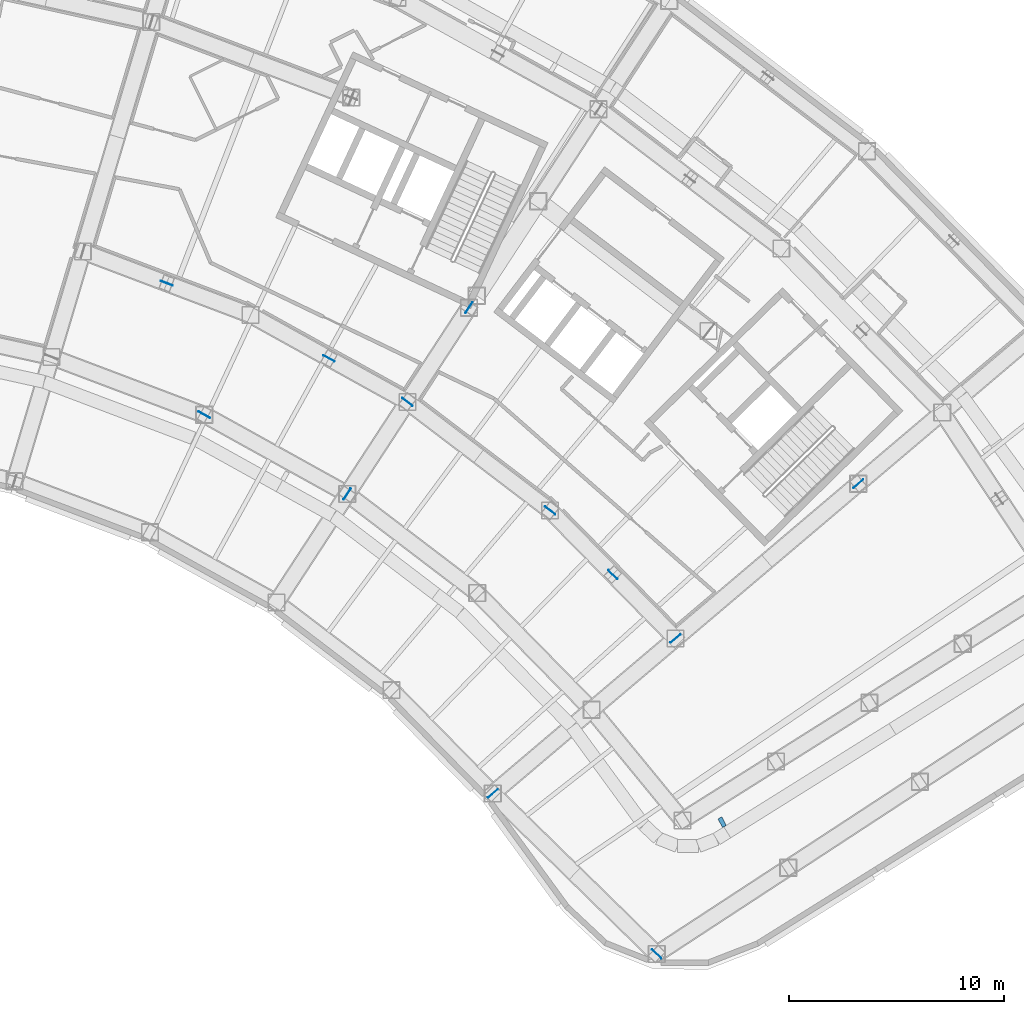
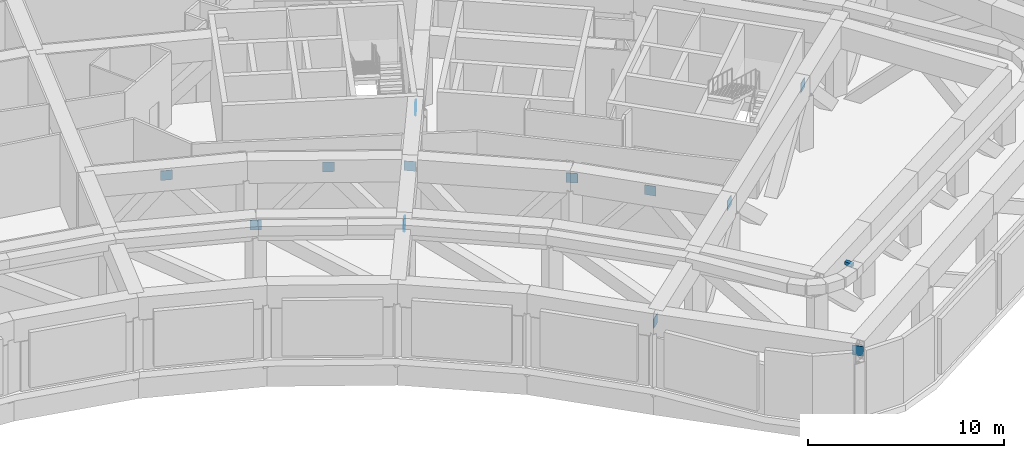
# One storey, part 23 of 30: 13 discrete accessories.
"""IFC4 building model written with IfcOpenShell, lengths in metres."""

from ifc_helpers import new_model, si_unit, direction, frame, origin, origin_2d, place, context, subcontext, project, spatial, rectangle, extrude, material, type_object, element, save


model = new_model("IFC4")

# Units and contexts
model_context = context("Model", 3, precision=1e-05, world=origin(), true_north=direction((0.0, 1.0)))
body_context = subcontext(model_context, "Body", "Model", "MODEL_VIEW")
ifc_project = project(units=[si_unit("LENGTHUNIT", "METRE"), si_unit("AREAUNIT", "SQUARE_METRE"), si_unit("VOLUMEUNIT", "CUBIC_METRE"), si_unit("PLANEANGLEUNIT", "RADIAN"), si_unit("MASSUNIT", "GRAM", prefix="KILO")], contexts=[model_context])

# Site, building, storey
site_placement = place(None, origin())
site = spatial("IfcSite", under=ifc_project, at=site_placement, CompositionType="ELEMENT")
building_placement = place(site_placement, origin())
building = spatial("IfcBuilding", under=site, at=building_placement, Name="Tuul Gate Civic Tower", CompositionType="ELEMENT")
storey_placement = place(building_placement, frame((0.0, 0.0, 26.699951171875)))
storey = spatial("IfcBuildingStorey", under=building, at=storey_placement, Name="Plant and refuge floor 1", CompositionType="ELEMENT", Elevation=26.699951171875)

# Discrete accessories
ifc_material_1 = material(Name="Steel S355", Category="steel")
discrete_accessory_type_1 = type_object("IfcDiscreteAccessoryType", Name="Gusset plate", PredefinedType="BRACKET", material=ifc_material_1)
for number, where, z_axis, x_axis, name in (
    (1, (28.726318359375, -16.005859375, 3.503173828125), (0.0, 0.0, 1.0), (0.546705342807, 0.837325067191, 0.0), "Gusset plate"),
    (2, (52.471435546875, -15.52392578125, 3.50341796875), (0.0, 0.0, 1.0), (0.762835003285, 0.646593193409, 0.0), "Gusset plate"),
    (3, (43.981689453125, -22.719970703125, 3.50341796875), (0.0, 0.0, 1.0), (0.762835003285, 0.646593193409, 0.0), "Gusset plate"),
    (4, (35.4892578125, -29.916015625, 3.503173828125), (0.0, 0.0, 1.0), (0.762835003285, 0.646593193409, 0.0), "Gusset plate"),
    (5, (43.1025390625, -37.37646484375, 3.503173828125), (0.0, 0.0, 1.0), (-0.714249430568, 0.699891242218, 0.0), "Gusset plate"),
    (6, (27.879150390625, -9.70458984375, 3.50390625), (0.0, 0.0, 1.0), (-0.874596656959, 0.484851201541, 0.0), "Gusset plate"),
    (7, (41.06591796875, -19.745361328125, 3.50390625), (0.0, 0.0, 1.0), (-0.700009397894, 0.714133630954, 0.0), "Gusset plate"),
    (8, (20.340087890625, -6.2119140625, 3.50390625), (0.0, 0.0, 1.0), (-0.935378577037, 0.353648013737, 0.0), "Gusset plate"),
    (9, (34.382568359375, -7.343505859375, 3.50341796875), (0.0, 0.0, 1.0), (-0.546705342807, -0.837325067191, 0.0), "Gusset plate"),
    (10, (31.519775390625, -11.722412109375, 3.50390625), (0.0, 0.0, 1.0), (0.795623663767, -0.605791206319, 0.0), "Gusset plate"),
    (11, (38.152587890625, -16.772705078125, 3.50390625), (0.0, 0.0, 1.0), (-0.795623663767, 0.605791206319, 0.0), "Gusset plate"),
    (12, (22.083251953125, -12.322998046875, 3.502685546875), (0.0, 0.0, 1.0), (0.874598044765, -0.484848698146, 0.0), "Gusset plate"),
):
    element("IfcDiscreteAccessory", number, at=place(storey_placement, frame(where, z_axis=z_axis, x_axis=x_axis)), inside=storey, type_object=discrete_accessory_type_1, Name=name, PredefinedType="BRACKET", context=body_context, shape_type="SweptSolid", body=[
        extrude(rectangle(XDim=0.60009765625, YDim=0.030029296875, at=origin_2d()), origin(), (0.0, 0.0, 1.0), 0.60009765625),
    ])
ifc_material_2 = material(Name="Stainless steel", Category="steel")
discrete_accessory_type_2 = type_object("IfcDiscreteAccessoryType", Name="Screen bracket", PredefinedType="BRACKET", material=ifc_material_2)
discrete_accessory_placement = place(storey_placement, frame((46.145751953125, -31.253173828125, 4.35009765625), z_axis=(0.0, 0.0, 1.0), x_axis=(0.453848979937, -0.891078617974, 0.0)))
element("IfcDiscreteAccessory", 13, at=discrete_accessory_placement, inside=storey, type_object=discrete_accessory_type_2, Name="Screen bracket 31", PredefinedType="BRACKET", context=body_context, shape_type="SweptSolid", body=[
    extrude(rectangle(XDim=0.45166015625, YDim=0.199951171875, at=origin_2d()), origin(), (0.0, 0.0, 1.0), 0.199951171875),
])

save(model, "model.ifc")
